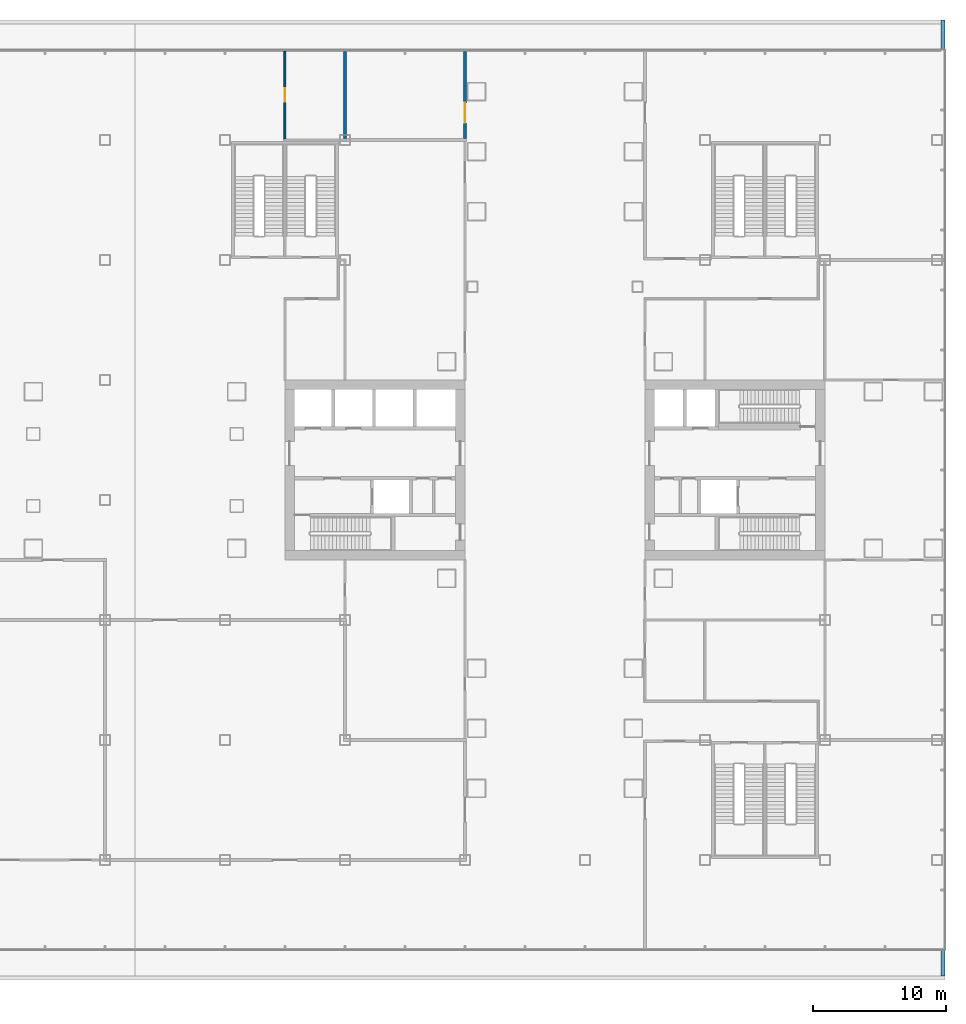
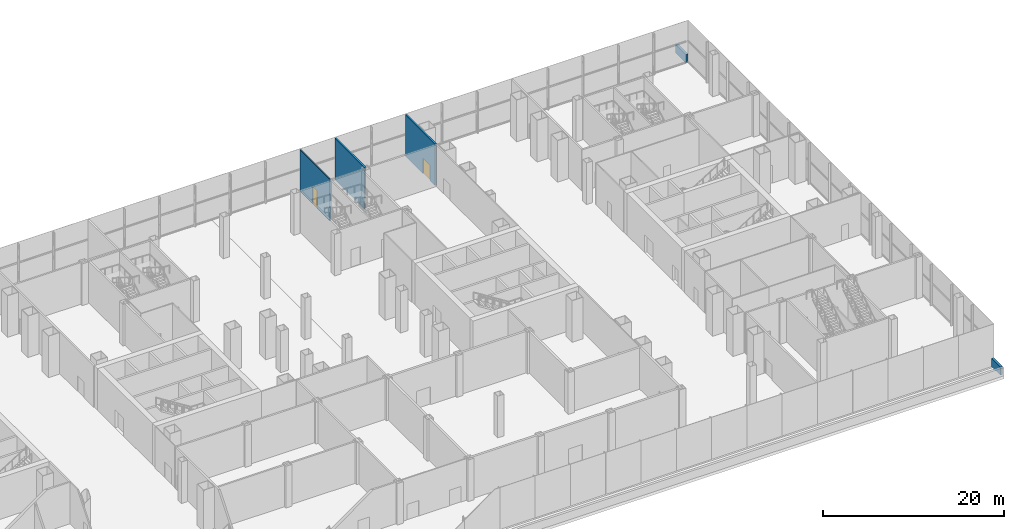
# One storey, part 31 of 38: 5 walls, 2 doors, 2 openings.
"""IFC4 building model written with IfcOpenShell, lengths in metres."""

from ifc_helpers import new_model, si_unit, direction, frame, frame_2d, origin, place, context, subcontext, project, spatial, rectangle, extrude, material, layer, layer_set, type_object, element, fill, save


model = new_model("IFC4")

# Units and contexts
model_context = context("Model", 3, precision=1e-05, world=origin(), true_north=direction((0.0, 1.0)))
body_context = subcontext(model_context, "Body", "Model", "MODEL_VIEW")
ifc_project = project(units=[si_unit("LENGTHUNIT", "METRE"), si_unit("AREAUNIT", "SQUARE_METRE"), si_unit("VOLUMEUNIT", "CUBIC_METRE"), si_unit("PLANEANGLEUNIT", "RADIAN"), si_unit("MASSUNIT", "GRAM", prefix="KILO")], contexts=[model_context])

# Site, building, storey
site_placement = place(None, origin())
site = spatial("IfcSite", under=ifc_project, at=site_placement, CompositionType="ELEMENT")
building_placement = place(site_placement, origin())
building = spatial("IfcBuilding", under=site, at=building_placement, Name="Shamsa Quay Exchange Towers", CompositionType="ELEMENT")
storey_placement = place(building_placement, frame((0.0, 0.0, 12.5)))
storey = spatial("IfcBuildingStorey", under=building, at=storey_placement, Name="L02", CompositionType="ELEMENT", Elevation=12.5)

# Wall, opening, door
ifc_material_1 = material(Name="Double-leaf gypsum board partition with acoustic insulation")
ifc_layer_1 = layer(ifc_material_1, 0.199951171875)
ifc_layer_set_1 = layer_set([ifc_layer_1], Name="Acoustic partition 200 mm EI 60")
wall_type_1 = type_object("IfcWallType", Name="Acoustic partition 200 mm EI 60", PredefinedType="PARTITIONING", material=ifc_layer_set_1)
wall_1_placement = place(storey_placement, frame((27.0, 24.85009765625, 0.0), z_axis=(0.0, 0.0, 1.0), x_axis=(0.0, 1.0, 0.0)))
wall_1 = element("IfcWall", 1, at=wall_1_placement, inside=storey, type_object=wall_type_1, Name="Partition PD-L02-W15", PredefinedType="PARTITIONING", context=body_context, shape_type="SweptSolid", body=[
    extrude(rectangle(XDim=6.554931640625, YDim=0.199951171875, at=frame_2d((3.27734375, 0.0))), origin(), (0.0, 0.0, 1.0), 5.60009765625),
])
opening_1_placement = place(wall_1_placement, frame((1.175048828125, 0.0, 0.0)))
opening_1 = element("IfcOpeningElement", 2, at=opening_1_placement, cuts=wall_1, Name="Opening PD-L02-D37", PredefinedType="OPENING", context=body_context, shape_type="SweptSolid", body=[
    extrude(rectangle(XDim=1.5, YDim=2.10009765625, at=frame_2d((0.75, 1.050048828125))), frame((0.0, 0.10986328125, 0.0), z_axis=(0.0, -1.0, 0.0), x_axis=(1.0, 0.0, 0.0)), (0.0, 0.0, 1.0), 0.219970703125),
])
ifc_material_2 = material(Name="Timber door leaf in a metal frame", Category="wood")
door_type_1 = type_object("IfcDoorType", Name="Door 1500x2100 FD30S pair", OperationType="NOTDEFINED", PredefinedType="DOOR", material=ifc_material_2)
door_1_placement = place(opening_1_placement, origin())
door_1 = element("IfcDoor", 3, at=door_1_placement, inside=storey, type_object=door_type_1, Name="Door PD-L02-D37", OperationType="DOUBLE_DOOR_SINGLE_SWING", OverallHeight=2.10009765625, OverallWidth=1.5, PredefinedType="DOOR", context=body_context, shape_type="SweptSolid", body=[
    extrude(rectangle(XDim=1.5, YDim=2.10009765625, at=frame_2d((0.75, 1.050048828125))), frame((0.0, 0.02490234375, 0.0), z_axis=(0.0, -1.0, 0.0), x_axis=(1.0, 0.0, 0.0)), (0.0, 0.0, 1.0), 0.050048828125),
])
fill(opening_1, door_1)

# Wall
wall_2_placement = place(storey_placement, frame((18.0, 31.405029296875, 0.0), z_axis=(0.0, 0.0, 1.0), x_axis=(0.0, -1.0, 0.0)))
element("IfcWall", 4, at=wall_2_placement, inside=storey, type_object=wall_type_1, Name="Partition PD-L02-W91", PredefinedType="PARTITIONING", context=body_context, shape_type="SweptSolid", body=[
    extrude(rectangle(XDim=6.554931640625, YDim=0.199951171875, at=frame_2d((3.27734375, 0.0))), origin(), (0.0, 0.0, 1.0), 5.60009765625),
])

# Wall, opening, door
ifc_material_3 = material(Name="Gypsum board partition on metal studs")
ifc_layer_2 = layer(ifc_material_3, 0.14990234375)
ifc_layer_set_2 = layer_set([ifc_layer_2], Name="Partition 150 mm EI 60")
wall_type_2 = type_object("IfcWallType", Name="Partition 150 mm EI 60", PredefinedType="PARTITIONING", material=ifc_layer_set_2)
wall_3_placement = place(storey_placement, frame((13.5, 31.405029296875, 0.0), z_axis=(0.0, 0.0, 1.0), x_axis=(0.0, -1.0, 0.0)))
wall_3 = element("IfcWall", 5, at=wall_3_placement, inside=storey, type_object=wall_type_2, Name="Partition PD-L02-W23", PredefinedType="PARTITIONING", context=body_context, shape_type="SweptSolid", body=[
    extrude(rectangle(XDim=6.580078125, YDim=0.14990234375, at=frame_2d((3.2900390625, 0.0))), origin(), (0.0, 0.0, 1.0), 5.60009765625),
])
opening_2_placement = place(wall_3_placement, frame((2.780029296875, 0.0, 0.0)))
opening_2 = element("IfcOpeningElement", 6, at=opening_2_placement, cuts=wall_3, Name="Opening PD-L02-D31", PredefinedType="OPENING", context=body_context, shape_type="SweptSolid", body=[
    extrude(rectangle(XDim=1.0, YDim=2.39990234375, at=frame_2d((0.5, 1.199951171875))), frame((0.0, 0.0849609375, 0.0), z_axis=(0.0, -1.0, 0.0), x_axis=(1.0, 0.0, 0.0)), (0.0, 0.0, 1.0), 0.169921875),
])
door_type_2 = type_object("IfcDoorType", Name="Door 1000x2400 FD30S", OperationType="NOTDEFINED", PredefinedType="DOOR", material=ifc_material_2)
door_2_placement = place(opening_2_placement, origin())
door_2 = element("IfcDoor", 7, at=door_2_placement, inside=storey, type_object=door_type_2, Name="Door PD-L02-D31", OperationType="SINGLE_SWING_RIGHT", OverallHeight=2.39990234375, OverallWidth=1.0, PredefinedType="DOOR", context=body_context, shape_type="SweptSolid", body=[
    extrude(rectangle(XDim=1.0, YDim=2.39990234375, at=frame_2d((0.5, 1.199951171875))), frame((0.0, 0.02490234375, 0.0), z_axis=(0.0, -1.0, 0.0), x_axis=(1.0, 0.0, 0.0)), (0.0, 0.0, 1.0), 0.050048828125),
])
fill(opening_2, door_2)

# Walls
ifc_material_4 = material(Name="Reinforced concrete C30/37", Category="concrete")
ifc_layer_3 = layer(ifc_material_4, 0.300048828125)
ifc_layer_set_3 = layer_set([ifc_layer_3], Name="ROOF PARAPET 300 C30/37")
wall_type_3 = type_object("IfcWallType", Name="ROOF PARAPET 300 C30/37", PredefinedType="PARAPET", material=ifc_layer_set_3)
wall_4_placement = place(storey_placement, frame((62.85009765625, -37.949951171875, 0.0), z_axis=(0.0, 0.0, 1.0), x_axis=(0.0, 1.0, 0.0)))
element("IfcWall", 8, at=wall_4_placement, inside=storey, type_object=wall_type_3, Name="Parapet L01 3", PredefinedType="PARAPET", context=body_context, shape_type="SweptSolid", body=[
    extrude(rectangle(XDim=1.949951171875, YDim=0.300048828125, at=frame_2d((0.97509765625, 0.0))), origin(), (0.0, 0.0, 1.0), 1.10009765625),
])
wall_5_placement = place(storey_placement, frame((62.85009765625, 31.5, 0.0), z_axis=(0.0, 0.0, 1.0), x_axis=(0.0, 1.0, 0.0)))
element("IfcWall", 9, at=wall_5_placement, inside=storey, type_object=wall_type_3, Name="Parapet L01 1", PredefinedType="PARAPET", context=body_context, shape_type="SweptSolid", body=[
    extrude(rectangle(XDim=2.25, YDim=0.300048828125, at=frame_2d((1.125, 0.0))), origin(), (0.0, 0.0, 1.0), 1.10009765625),
])

save(model, "model.ifc")
